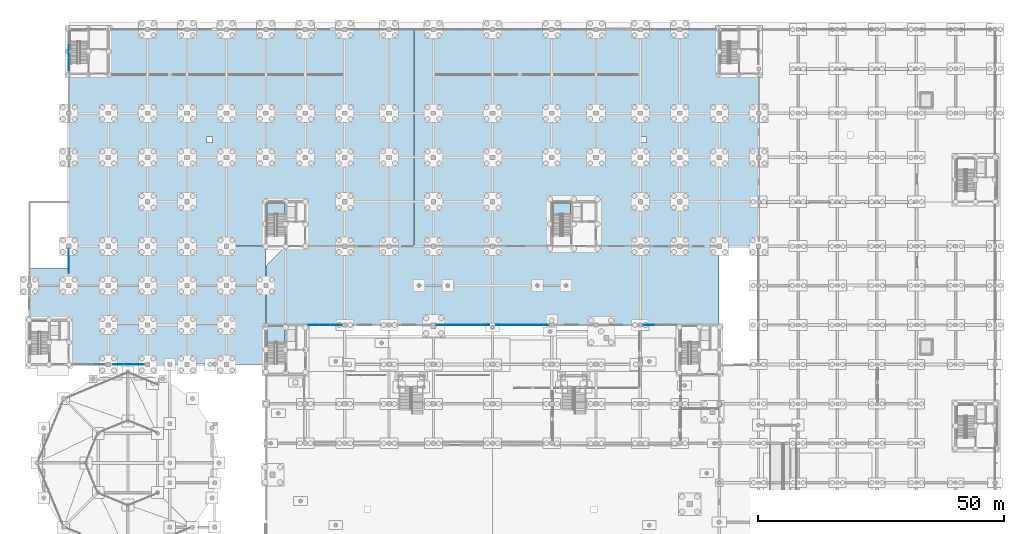
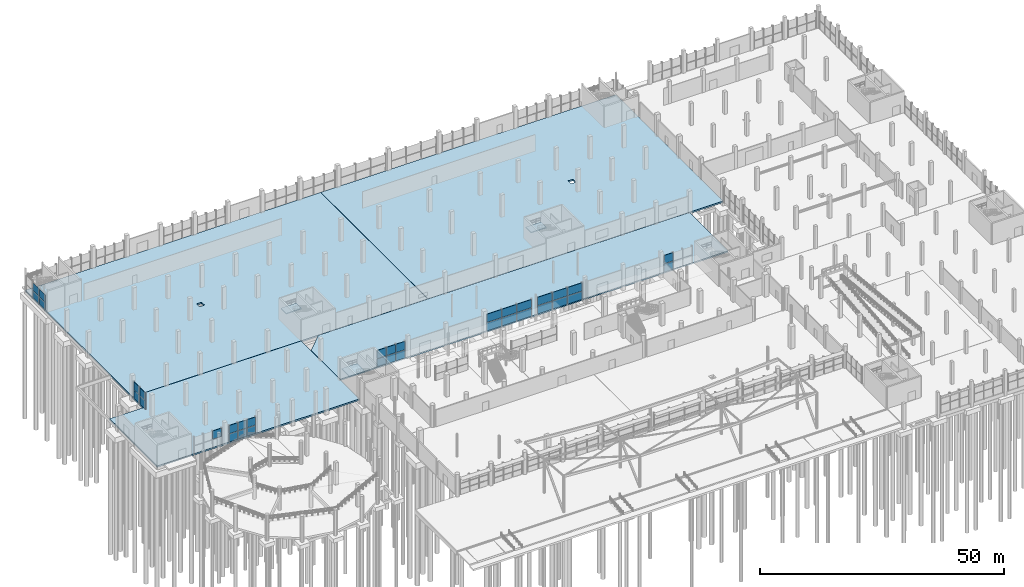
# One storey, part 66 of 98: 35 plates, 7 slabs, 11 elements without a shape of their own.
"""IFC4 building model written with IfcOpenShell, lengths in metres."""

from ifc_helpers import new_model, si_unit, derived_unit, direction, frame, origin, origin_2d, place, context, subcontext, project, spatial, polyline, rectangle, outline, extrude, material, layer, layer_set, type_object, element, aggregate, save


model = new_model("IFC4")

# Units and contexts
model_context = context("Model", 3, precision=1e-05, world=origin(), true_north=direction((0.0, 1.0)))
body_context = subcontext(model_context, "Body", "Model", "MODEL_VIEW")
ifc_project = project(units=[si_unit("LENGTHUNIT", "METRE"), si_unit("AREAUNIT", "SQUARE_METRE"), si_unit("VOLUMEUNIT", "CUBIC_METRE"), si_unit("PLANEANGLEUNIT", "RADIAN"), si_unit("MASSUNIT", "GRAM", prefix="KILO"), si_unit("THERMODYNAMICTEMPERATUREUNIT", "KELVIN"), derived_unit("THERMALTRANSMITTANCEUNIT", [(si_unit("POWERUNIT", "WATT"), 1), (si_unit("AREAUNIT", "SQUARE_METRE"), -1), (si_unit("THERMODYNAMICTEMPERATUREUNIT", "KELVIN"), -1)])], contexts=[model_context])

# Site, building, storey
site_placement = place(None, origin())
site = spatial("IfcSite", under=ifc_project, at=site_placement, CompositionType="ELEMENT")
building_placement = place(site_placement, origin())
building = spatial("IfcBuilding", under=site, at=building_placement, Name="Haiyu Intermodal Mobility Hub", CompositionType="ELEMENT")
storey_placement = place(building_placement, origin())
storey = spatial("IfcBuildingStorey", under=building, at=storey_placement, Name="L00", CompositionType="ELEMENT", Elevation=0.0)

# Curtain wall, plates
ifc_material_1 = material(Name="Low-e laminated insulating glass", Category="glass")
ifc_layer_1 = layer(ifc_material_1, 0.219970703125)
ifc_layer_set_1 = layer_set([ifc_layer_1], Name="Low-e laminated insulating glass")
curtain_wall_type_1 = type_object("IfcCurtainWallType", Name="CW-CW01", PredefinedType="NOTDEFINED", material=ifc_layer_set_1)
curtain_wall_1_placement = place(storey_placement, origin())
curtain_wall_1 = element("IfcCurtainWall", 1, at=curtain_wall_1_placement, inside=storey, type_object=curtain_wall_type_1, Name="Curtain Wall CW-SW-L00-185", PredefinedType="NOTDEFINED")
ifc_layer_2 = layer(ifc_material_1, 0.035888671875)
ifc_layer_set_2 = layer_set([ifc_layer_2], Name="Low-e laminated insulating glass")
plate_type_1 = type_object("IfcPlateType", Name="PLT-CP01", PredefinedType="CURTAIN_PANEL", material=ifc_layer_set_2)
plate_1_placement = place(storey_placement, frame((32.0380859375, 80.0, 0.03515625), z_axis=(0.0, 0.0, 1.0), x_axis=(1.0, 0.0, 0.0)))
plate_1 = element("IfcPlate", 2, at=plate_1_placement, type_object=plate_type_1, Name="CW-SW-L00-185-PN01", PredefinedType="CURTAIN_PANEL", context=body_context, shape_type="SweptSolid", body=[
    extrude(rectangle(XDim=2.007080078125, YDim=0.035888671875, at=origin_2d()), origin(), (0.0, 0.0, 1.0), 2.030029296875),
])
plate_2_placement = place(storey_placement, frame((34.135009765625, 80.0, 0.03515625), z_axis=(0.0, 0.0, 1.0), x_axis=(1.0, 0.0, 0.0)))
plate_2 = element("IfcPlate", 3, at=plate_2_placement, type_object=plate_type_1, Name="CW-SW-L00-185-PN03", PredefinedType="CURTAIN_PANEL", context=body_context, shape_type="SweptSolid", body=[
    extrude(rectangle(XDim=2.007080078125, YDim=0.035888671875, at=origin_2d()), origin(), (0.0, 0.0, 1.0), 2.030029296875),
])
plate_3_placement = place(storey_placement, frame((36.23193359375, 80.0, 0.03515625), z_axis=(0.0, 0.0, 1.0), x_axis=(1.0, 0.0, 0.0)))
plate_3 = element("IfcPlate", 4, at=plate_3_placement, type_object=plate_type_1, Name="CW-SW-L00-185-PN05", PredefinedType="CURTAIN_PANEL", context=body_context, shape_type="SweptSolid", body=[
    extrude(rectangle(XDim=2.007080078125, YDim=0.035888671875, at=origin_2d()), origin(), (0.0, 0.0, 1.0), 2.030029296875),
])

curtain_wall_2_placement = place(storey_placement, origin())
curtain_wall_2 = element("IfcCurtainWall", 5, at=curtain_wall_2_placement, inside=storey, type_object=curtain_wall_type_1, Name="Curtain Wall CW-SWW-L00-186", PredefinedType="NOTDEFINED")
plate_4_placement = place(storey_placement, frame((22.0, 102.22998046875, 0.03515625), z_axis=(0.0, 0.0, 1.0), x_axis=(0.0, -1.0, 0.0)))
plate_4 = element("IfcPlate", 6, at=plate_4_placement, type_object=plate_type_1, Name="CW-SWW-L00-186-PN01", PredefinedType="CURTAIN_PANEL", context=body_context, shape_type="SweptSolid", body=[
    extrude(rectangle(XDim=2.3701171875, YDim=0.035888671875, at=origin_2d()), origin(), (0.0, 0.0, 1.0), 2.030029296875),
])
plate_5_placement = place(storey_placement, frame((22.0, 99.77001953125, 0.03515625), z_axis=(0.0, 0.0, 1.0), x_axis=(0.0, -1.0, 0.0)))
plate_5 = element("IfcPlate", 7, at=plate_5_placement, type_object=plate_type_1, Name="CW-SWW-L00-186-PN03", PredefinedType="CURTAIN_PANEL", context=body_context, shape_type="SweptSolid", body=[
    extrude(rectangle(XDim=2.3701171875, YDim=0.035888671875, at=origin_2d()), origin(), (0.0, 0.0, 1.0), 2.030029296875),
])

ifc_layer_3 = layer(ifc_material_1, 0.25)
ifc_layer_set_3 = layer_set([ifc_layer_3], Name="Low-e laminated insulating glass")
curtain_wall_type_2 = type_object("IfcCurtainWallType", Name="CW-CW02", PredefinedType="NOTDEFINED", material=ifc_layer_set_3)
curtain_wall_3_placement = place(storey_placement, origin())
curtain_wall_3 = element("IfcCurtainWall", 8, at=curtain_wall_3_placement, inside=storey, type_object=curtain_wall_type_2, Name="Curtain Wall CW-V1N-L00-021", PredefinedType="NOTDEFINED")
ifc_material_2 = material(Name="Anodised aluminium 6063-T6", Category="aluminium")
ifc_layer_4 = layer(ifc_material_2, 0.0419921875)
ifc_layer_set_4 = layer_set([ifc_layer_4], Name="Anodised aluminium 6063-T6")
plate_type_2 = type_object("IfcPlateType", Name="PLT-CP02", PredefinedType="CURTAIN_PANEL", material=ifc_layer_set_4)
plate_6_placement = place(storey_placement, frame((76.22705078125, 88.0, 0.03466796875), z_axis=(0.0, 0.0, 1.0), x_axis=(-1.0, 0.0, 0.0)))
plate_6 = element("IfcPlate", 9, at=plate_6_placement, type_object=plate_type_2, Name="CW-V1N-L00-021-PN01", PredefinedType="CURTAIN_PANEL", context=body_context, shape_type="SweptSolid", body=[
    extrude(rectangle(XDim=2.136962890625, YDim=0.0419921875, at=origin_2d()), origin(), (0.0, 0.0, 1.0), 2.054931640625),
])
plate_7_placement = place(storey_placement, frame((74.0, 88.0, 0.03466796875), z_axis=(0.0, 0.0, 1.0), x_axis=(-1.0, 0.0, 0.0)))
plate_7 = element("IfcPlate", 10, at=plate_7_placement, type_object=plate_type_2, Name="CW-V1N-L00-021-PN03", PredefinedType="CURTAIN_PANEL", context=body_context, shape_type="SweptSolid", body=[
    extrude(rectangle(XDim=2.136962890625, YDim=0.0419921875, at=origin_2d()), origin(), (0.0, 0.0, 1.0), 2.054931640625),
])
plate_8_placement = place(storey_placement, frame((71.77294921875, 88.0, 0.03466796875), z_axis=(0.0, 0.0, 1.0), x_axis=(-1.0, 0.0, 0.0)))
plate_8 = element("IfcPlate", 11, at=plate_8_placement, type_object=plate_type_2, Name="CW-V1N-L00-021-PN05", PredefinedType="CURTAIN_PANEL", context=body_context, shape_type="SweptSolid", body=[
    extrude(rectangle(XDim=2.136962890625, YDim=0.0419921875, at=origin_2d()), origin(), (0.0, 0.0, 1.0), 2.054931640625),
])

curtain_wall_4_placement = place(storey_placement, origin())
curtain_wall_4 = element("IfcCurtainWall", 12, at=curtain_wall_4_placement, inside=storey, type_object=curtain_wall_type_2, Name="Curtain Wall CW-V1N-L00-025", PredefinedType="NOTDEFINED")
plate_9_placement = place(storey_placement, frame((105.56005859375, 88.0, 0.03466796875), z_axis=(0.0, 0.0, 1.0), x_axis=(-1.0, 0.0, 0.0)))
plate_9 = element("IfcPlate", 13, at=plate_9_placement, type_object=plate_type_2, Name="CW-V1N-L00-025-PN01", PredefinedType="CURTAIN_PANEL", context=body_context, shape_type="SweptSolid", body=[
    extrude(rectangle(XDim=3.469970703125, YDim=0.0419921875, at=origin_2d()), origin(), (0.0, 0.0, 1.0), 2.054931640625),
])
plate_10_placement = place(storey_placement, frame((102.0, 88.0, 0.03466796875), z_axis=(0.0, 0.0, 1.0), x_axis=(-1.0, 0.0, 0.0)))
plate_10 = element("IfcPlate", 14, at=plate_10_placement, type_object=plate_type_2, Name="CW-V1N-L00-025-PN03", PredefinedType="CURTAIN_PANEL", context=body_context, shape_type="SweptSolid", body=[
    extrude(rectangle(XDim=3.469970703125, YDim=0.0419921875, at=origin_2d()), origin(), (0.0, 0.0, 1.0), 2.054931640625),
])
plate_11_placement = place(storey_placement, frame((98.43994140625, 88.0, 0.03466796875), z_axis=(0.0, 0.0, 1.0), x_axis=(-1.0, 0.0, 0.0)))
plate_11 = element("IfcPlate", 15, at=plate_11_placement, type_object=plate_type_2, Name="CW-V1N-L00-025-PN05", PredefinedType="CURTAIN_PANEL", context=body_context, shape_type="SweptSolid", body=[
    extrude(rectangle(XDim=3.469970703125, YDim=0.0419921875, at=origin_2d()), origin(), (0.0, 0.0, 1.0), 2.054931640625),
])

curtain_wall_5_placement = place(storey_placement, origin())
curtain_wall_5 = element("IfcCurtainWall", 16, at=curtain_wall_5_placement, inside=storey, type_object=curtain_wall_type_2, Name="Curtain Wall CW-V1N-L00-027", PredefinedType="NOTDEFINED")
plate_12_placement = place(storey_placement, frame((117.56005859375, 88.0, 0.03466796875), z_axis=(0.0, 0.0, 1.0), x_axis=(-1.0, 0.0, 0.0)))
plate_12 = element("IfcPlate", 17, at=plate_12_placement, type_object=plate_type_2, Name="CW-V1N-L00-027-PN01", PredefinedType="CURTAIN_PANEL", context=body_context, shape_type="SweptSolid", body=[
    extrude(rectangle(XDim=3.469970703125, YDim=0.0419921875, at=origin_2d()), origin(), (0.0, 0.0, 1.0), 2.054931640625),
])
plate_13_placement = place(storey_placement, frame((114.0, 88.0, 0.03466796875), z_axis=(0.0, 0.0, 1.0), x_axis=(-1.0, 0.0, 0.0)))
plate_13 = element("IfcPlate", 18, at=plate_13_placement, type_object=plate_type_2, Name="CW-V1N-L00-027-PN03", PredefinedType="CURTAIN_PANEL", context=body_context, shape_type="SweptSolid", body=[
    extrude(rectangle(XDim=3.469970703125, YDim=0.0419921875, at=origin_2d()), origin(), (0.0, 0.0, 1.0), 2.054931640625),
])
plate_14_placement = place(storey_placement, frame((110.43994140625, 88.0, 0.03466796875), z_axis=(0.0, 0.0, 1.0), x_axis=(-1.0, 0.0, 0.0)))
plate_14 = element("IfcPlate", 19, at=plate_14_placement, type_object=plate_type_2, Name="CW-V1N-L00-027-PN05", PredefinedType="CURTAIN_PANEL", context=body_context, shape_type="SweptSolid", body=[
    extrude(rectangle(XDim=3.469970703125, YDim=0.0419921875, at=origin_2d()), origin(), (0.0, 0.0, 1.0), 2.054931640625),
])

# Curtain wall, plate
curtain_wall_6_placement = place(storey_placement, origin())
curtain_wall_6 = element("IfcCurtainWall", 20, at=curtain_wall_6_placement, inside=storey, type_object=curtain_wall_type_2, Name="Curtain Wall CW-V1N-L00-031", PredefinedType="NOTDEFINED")
plate_15_placement = place(storey_placement, frame((139.77294921875, 88.0, 0.03466796875), z_axis=(0.0, 0.0, 1.0), x_axis=(-1.0, 0.0, 0.0)))
plate_15 = element("IfcPlate", 21, at=plate_15_placement, type_object=plate_type_2, Name="CW-V1N-L00-031-PN05", PredefinedType="CURTAIN_PANEL", context=body_context, shape_type="SweptSolid", body=[
    extrude(rectangle(XDim=2.136962890625, YDim=0.0419921875, at=origin_2d()), origin(), (0.0, 0.0, 1.0), 2.054931640625),
])

# Curtain wall, plates
ifc_layer_5 = layer(ifc_material_1, 0.199951171875)
ifc_layer_set_5 = layer_set([ifc_layer_5], Name="Low-e laminated insulating glass")
curtain_wall_type_3 = type_object("IfcCurtainWallType", Name="CW-CW03", PredefinedType="NOTDEFINED", material=ifc_layer_set_5)
curtain_wall_7_placement = place(storey_placement, origin())
curtain_wall_7 = element("IfcCurtainWall", 22, at=curtain_wall_7_placement, inside=storey, type_object=curtain_wall_type_3, Name="Curtain Wall CW-C3S-L00-050", PredefinedType="NOTDEFINED")
ifc_layer_6 = layer(ifc_material_1, 0.0400390625)
ifc_layer_set_6 = layer_set([ifc_layer_6], Name="Low-e laminated insulating glass")
plate_type_3 = type_object("IfcPlateType", Name="PLT-CP03", PredefinedType="CURTAIN_PANEL", material=ifc_layer_set_6)
plate_16_placement = place(storey_placement, frame((22.0, 143.5, 0.03515625), z_axis=(0.0, 0.0, 1.0), x_axis=(0.0, -1.0, 0.0)))
plate_16 = element("IfcPlate", 23, at=plate_16_placement, type_object=plate_type_3, Name="CW-C3S-L00-050-PN03", PredefinedType="CURTAIN_PANEL", context=body_context, shape_type="SweptSolid", body=[
    extrude(rectangle(XDim=2.469970703125, YDim=0.0400390625, at=origin_2d()), origin(), (0.0, 0.0, 1.0), 1.840087890625),
])
plate_17_placement = place(storey_placement, frame((22.0, 140.93994140625, 0.03515625), z_axis=(0.0, 0.0, 1.0), x_axis=(0.0, -1.0, 0.0)))
plate_17 = element("IfcPlate", 24, at=plate_17_placement, type_object=plate_type_3, Name="CW-C3S-L00-050-PN05", PredefinedType="CURTAIN_PANEL", context=body_context, shape_type="SweptSolid", body=[
    extrude(rectangle(XDim=2.469970703125, YDim=0.0400390625, at=origin_2d()), origin(), (0.0, 0.0, 1.0), 1.840087890625),
])

# Plate
ifc_layer_7 = layer(ifc_material_1, 0.0439453125)
ifc_layer_set_7 = layer_set([ifc_layer_7], Name="Low-e laminated insulating glass")
plate_type_4 = type_object("IfcPlateType", Name="PLT-CP04", PredefinedType="CURTAIN_PANEL", material=ifc_layer_set_7)
plate_18_placement = place(storey_placement, frame((76.22705078125, 88.0, 2.16064453125), z_axis=(0.0, 0.0, 1.0), x_axis=(-1.0, 0.0, 0.0)))
plate_18 = element("IfcPlate", 25, at=plate_18_placement, type_object=plate_type_4, Name="CW-V1N-L00-021-PN02", PredefinedType="CURTAIN_PANEL", context=body_context, shape_type="SweptSolid", body=[
    extrude(rectangle(XDim=2.136962890625, YDim=0.0439453125, at=origin_2d()), origin(), (0.0, 0.0, 1.0), 2.054931640625),
])

plate_19_placement = place(storey_placement, frame((74.0, 88.0, 2.16064453125), z_axis=(0.0, 0.0, 1.0), x_axis=(-1.0, 0.0, 0.0)))
plate_19 = element("IfcPlate", 26, at=plate_19_placement, type_object=plate_type_4, Name="CW-V1N-L00-021-PN04", PredefinedType="CURTAIN_PANEL", context=body_context, shape_type="SweptSolid", body=[
    extrude(rectangle(XDim=2.136962890625, YDim=0.0439453125, at=origin_2d()), origin(), (0.0, 0.0, 1.0), 2.054931640625),
])

plate_20_placement = place(storey_placement, frame((71.77294921875, 88.0, 2.16064453125), z_axis=(0.0, 0.0, 1.0), x_axis=(-1.0, 0.0, 0.0)))
plate_20 = element("IfcPlate", 27, at=plate_20_placement, type_object=plate_type_4, Name="CW-V1N-L00-021-PN06", PredefinedType="CURTAIN_PANEL", context=body_context, shape_type="SweptSolid", body=[
    extrude(rectangle(XDim=2.136962890625, YDim=0.0439453125, at=origin_2d()), origin(), (0.0, 0.0, 1.0), 2.054931640625),
])

aggregate(curtain_wall_3, [plate_6, plate_18, plate_7, plate_19, plate_8, plate_20])

plate_21_placement = place(storey_placement, frame((105.56005859375, 88.0, 2.16064453125), z_axis=(0.0, 0.0, 1.0), x_axis=(-1.0, 0.0, 0.0)))
plate_21 = element("IfcPlate", 28, at=plate_21_placement, type_object=plate_type_4, Name="CW-V1N-L00-025-PN02", PredefinedType="CURTAIN_PANEL", context=body_context, shape_type="SweptSolid", body=[
    extrude(rectangle(XDim=3.469970703125, YDim=0.0439453125, at=origin_2d()), origin(), (0.0, 0.0, 1.0), 2.054931640625),
])

plate_22_placement = place(storey_placement, frame((102.0, 88.0, 2.16064453125), z_axis=(0.0, 0.0, 1.0), x_axis=(-1.0, 0.0, 0.0)))
plate_22 = element("IfcPlate", 29, at=plate_22_placement, type_object=plate_type_4, Name="CW-V1N-L00-025-PN04", PredefinedType="CURTAIN_PANEL", context=body_context, shape_type="SweptSolid", body=[
    extrude(rectangle(XDim=3.469970703125, YDim=0.0439453125, at=origin_2d()), origin(), (0.0, 0.0, 1.0), 2.054931640625),
])

plate_23_placement = place(storey_placement, frame((98.43994140625, 88.0, 2.16064453125), z_axis=(0.0, 0.0, 1.0), x_axis=(-1.0, 0.0, 0.0)))
plate_23 = element("IfcPlate", 30, at=plate_23_placement, type_object=plate_type_4, Name="CW-V1N-L00-025-PN06", PredefinedType="CURTAIN_PANEL", context=body_context, shape_type="SweptSolid", body=[
    extrude(rectangle(XDim=3.469970703125, YDim=0.0439453125, at=origin_2d()), origin(), (0.0, 0.0, 1.0), 2.054931640625),
])

aggregate(curtain_wall_4, [plate_9, plate_21, plate_10, plate_22, plate_11, plate_23])

plate_24_placement = place(storey_placement, frame((117.56005859375, 88.0, 2.16064453125), z_axis=(0.0, 0.0, 1.0), x_axis=(-1.0, 0.0, 0.0)))
plate_24 = element("IfcPlate", 31, at=plate_24_placement, type_object=plate_type_4, Name="CW-V1N-L00-027-PN02", PredefinedType="CURTAIN_PANEL", context=body_context, shape_type="SweptSolid", body=[
    extrude(rectangle(XDim=3.469970703125, YDim=0.0439453125, at=origin_2d()), origin(), (0.0, 0.0, 1.0), 2.054931640625),
])

plate_25_placement = place(storey_placement, frame((114.0, 88.0, 2.16064453125), z_axis=(0.0, 0.0, 1.0), x_axis=(-1.0, 0.0, 0.0)))
plate_25 = element("IfcPlate", 32, at=plate_25_placement, type_object=plate_type_4, Name="CW-V1N-L00-027-PN04", PredefinedType="CURTAIN_PANEL", context=body_context, shape_type="SweptSolid", body=[
    extrude(rectangle(XDim=3.469970703125, YDim=0.0439453125, at=origin_2d()), origin(), (0.0, 0.0, 1.0), 2.054931640625),
])

plate_26_placement = place(storey_placement, frame((110.43994140625, 88.0, 2.16064453125), z_axis=(0.0, 0.0, 1.0), x_axis=(-1.0, 0.0, 0.0)))
plate_26 = element("IfcPlate", 33, at=plate_26_placement, type_object=plate_type_4, Name="CW-V1N-L00-027-PN06", PredefinedType="CURTAIN_PANEL", context=body_context, shape_type="SweptSolid", body=[
    extrude(rectangle(XDim=3.469970703125, YDim=0.0439453125, at=origin_2d()), origin(), (0.0, 0.0, 1.0), 2.054931640625),
])

aggregate(curtain_wall_5, [plate_12, plate_24, plate_13, plate_25, plate_14, plate_26])

plate_27_placement = place(storey_placement, frame((139.77294921875, 88.0, 2.16064453125), z_axis=(0.0, 0.0, 1.0), x_axis=(-1.0, 0.0, 0.0)))
plate_27 = element("IfcPlate", 34, at=plate_27_placement, type_object=plate_type_4, Name="CW-V1N-L00-031-PN06", PredefinedType="CURTAIN_PANEL", context=body_context, shape_type="SweptSolid", body=[
    extrude(rectangle(XDim=2.136962890625, YDim=0.0439453125, at=origin_2d()), origin(), (0.0, 0.0, 1.0), 2.054931640625),
])

aggregate(curtain_wall_6, [plate_15, plate_27])

plate_28_placement = place(storey_placement, frame((22.0, 143.5, 1.94482421875), z_axis=(0.0, 0.0, 1.0), x_axis=(0.0, -1.0, 0.0)))
plate_28 = element("IfcPlate", 35, at=plate_28_placement, type_object=plate_type_4, Name="CW-C3S-L00-050-PN04", PredefinedType="CURTAIN_PANEL", context=body_context, shape_type="SweptSolid", body=[
    extrude(rectangle(XDim=2.469970703125, YDim=0.0439453125, at=origin_2d()), origin(), (0.0, 0.0, 1.0), 1.840087890625),
])

plate_29_placement = place(storey_placement, frame((22.0, 140.93994140625, 1.94482421875), z_axis=(0.0, 0.0, 1.0), x_axis=(0.0, -1.0, 0.0)))
plate_29 = element("IfcPlate", 36, at=plate_29_placement, type_object=plate_type_4, Name="CW-C3S-L00-050-PN06", PredefinedType="CURTAIN_PANEL", context=body_context, shape_type="SweptSolid", body=[
    extrude(rectangle(XDim=2.469970703125, YDim=0.0439453125, at=origin_2d()), origin(), (0.0, 0.0, 1.0), 1.840087890625),
])

aggregate(curtain_wall_7, [plate_16, plate_28, plate_17, plate_29])

# Curtain wall, plate
curtain_wall_8_placement = place(storey_placement, origin())
curtain_wall_8 = element("IfcCurtainWall", 37, at=curtain_wall_8_placement, inside=storey, type_object=curtain_wall_type_1, Name="Curtain Wall CW-SW-L00-184", PredefinedType="NOTDEFINED")
plate_30_placement = place(storey_placement, frame((28.18701171875, 80.0, 2.134765625), z_axis=(0.0, 0.0, 1.0), x_axis=(1.0, 0.0, 0.0)))
plate_30 = element("IfcPlate", 38, at=plate_30_placement, type_object=plate_type_4, Name="CW-SW-L00-184-PN06", PredefinedType="CURTAIN_PANEL", context=body_context, shape_type="SweptSolid", body=[
    extrude(rectangle(XDim=2.096923828125, YDim=0.0439453125, at=origin_2d()), origin(), (0.0, 0.0, 1.0), 2.030029296875),
])
aggregate(curtain_wall_8, [plate_30])

# Plate
plate_31_placement = place(storey_placement, frame((32.0380859375, 80.0, 2.134765625), z_axis=(0.0, 0.0, 1.0), x_axis=(1.0, 0.0, 0.0)))
plate_31 = element("IfcPlate", 39, at=plate_31_placement, type_object=plate_type_4, Name="CW-SW-L00-185-PN02", PredefinedType="CURTAIN_PANEL", context=body_context, shape_type="SweptSolid", body=[
    extrude(rectangle(XDim=2.007080078125, YDim=0.0439453125, at=origin_2d()), origin(), (0.0, 0.0, 1.0), 2.030029296875),
])

plate_32_placement = place(storey_placement, frame((34.135009765625, 80.0, 2.134765625), z_axis=(0.0, 0.0, 1.0), x_axis=(1.0, 0.0, 0.0)))
plate_32 = element("IfcPlate", 40, at=plate_32_placement, type_object=plate_type_4, Name="CW-SW-L00-185-PN04", PredefinedType="CURTAIN_PANEL", context=body_context, shape_type="SweptSolid", body=[
    extrude(rectangle(XDim=2.007080078125, YDim=0.0439453125, at=origin_2d()), origin(), (0.0, 0.0, 1.0), 2.030029296875),
])

plate_33_placement = place(storey_placement, frame((36.23193359375, 80.0, 2.134765625), z_axis=(0.0, 0.0, 1.0), x_axis=(1.0, 0.0, 0.0)))
plate_33 = element("IfcPlate", 41, at=plate_33_placement, type_object=plate_type_4, Name="CW-SW-L00-185-PN06", PredefinedType="CURTAIN_PANEL", context=body_context, shape_type="SweptSolid", body=[
    extrude(rectangle(XDim=2.007080078125, YDim=0.0439453125, at=origin_2d()), origin(), (0.0, 0.0, 1.0), 2.030029296875),
])

aggregate(curtain_wall_1, [plate_1, plate_31, plate_2, plate_32, plate_3, plate_33])

plate_34_placement = place(storey_placement, frame((22.0, 102.22998046875, 2.134765625), z_axis=(0.0, 0.0, 1.0), x_axis=(0.0, -1.0, 0.0)))
plate_34 = element("IfcPlate", 42, at=plate_34_placement, type_object=plate_type_4, Name="CW-SWW-L00-186-PN02", PredefinedType="CURTAIN_PANEL", context=body_context, shape_type="SweptSolid", body=[
    extrude(rectangle(XDim=2.3701171875, YDim=0.0439453125, at=origin_2d()), origin(), (0.0, 0.0, 1.0), 2.030029296875),
])

plate_35_placement = place(storey_placement, frame((22.0, 99.77001953125, 2.134765625), z_axis=(0.0, 0.0, 1.0), x_axis=(0.0, -1.0, 0.0)))
plate_35 = element("IfcPlate", 43, at=plate_35_placement, type_object=plate_type_4, Name="CW-SWW-L00-186-PN04", PredefinedType="CURTAIN_PANEL", context=body_context, shape_type="SweptSolid", body=[
    extrude(rectangle(XDim=2.3701171875, YDim=0.0439453125, at=origin_2d()), origin(), (0.0, 0.0, 1.0), 2.030029296875),
])

aggregate(curtain_wall_2, [plate_4, plate_34, plate_5, plate_35])

# Slabs
ifc_material_3 = material(Name="Concrete C40", Category="concrete")
ifc_layer_8 = layer(ifc_material_3, 0.3798828125)
ifc_layer_set_8 = layer_set([ifc_layer_8], Name="Concrete C40")
slab_type_1 = type_object("IfcSlabType", Name="SLB-SL02", PredefinedType="BASESLAB", material=ifc_layer_set_8)
slab_1_placement = place(storey_placement, frame((0.0, 0.0, -0.3798828125)))
element("IfcSlab", 44, at=slab_1_placement, inside=storey, type_object=slab_type_1, Name="L00 West Transfer Gallery Base Slab", PredefinedType="BASESLAB", context=body_context, shape_type="SweptSolid", body=[
    extrude(outline(polyline([(14.0, 80.0), (61.97998046875, 80.0), (61.97998046875, 103.97998046875), (22.0, 103.97998046875), (22.0, 99.5), (14.0, 99.5), (14.0, 80.0)])), origin(), (0.0, 0.0, 1.0), 0.3798828125),
])
slab_2_placement = place(storey_placement, frame((0.0, 0.0, -0.3798828125)))
element("IfcSlab", 45, at=slab_2_placement, inside=storey, type_object=slab_type_1, Name="L00 Intermodal North-West Lobby Slab", PredefinedType="BASESLAB", context=body_context, shape_type="SweptSolid", body=[
    extrude(outline(polyline([(22.0, 104.0), (91.97998046875, 104.0), (91.97998046875, 148.0), (22.0, 148.0), (22.0, 104.0)]), holes=[polyline([(50.0, 125.0), (51.199951171875, 125.0), (51.199951171875, 126.199951171875), (50.0, 126.199951171875), (50.0, 125.0)])]), origin(), (0.0, 0.0, 1.0), 0.3798828125),
])
slab_3_placement = place(storey_placement, frame((0.0, 0.0, -0.3798828125)))
element("IfcSlab", 46, at=slab_3_placement, inside=storey, type_object=slab_type_1, Name="L00 Carpool & Showroom North-East Slab", PredefinedType="BASESLAB", context=body_context, shape_type="SweptSolid", body=[
    extrude(outline(polyline([(92.02001953125, 104.0), (162.0, 104.0), (162.0, 148.0), (92.02001953125, 148.0), (92.02001953125, 104.0)]), holes=[polyline([(138.0, 125.0), (139.199951171875, 125.0), (139.199951171875, 126.199951171875), (138.0, 126.199951171875), (138.0, 125.0)])]), origin(), (0.0, 0.0, 1.0), 0.3798828125),
])
ifc_layer_9 = layer(ifc_material_3, 0.320068359375)
ifc_layer_set_9 = layer_set([ifc_layer_9], Name="Concrete C40")
slab_type_2 = type_object("IfcSlabType", Name="SLB-SL03", PredefinedType="BASESLAB", material=ifc_layer_set_9)
slab_4_placement = place(storey_placement, frame((0.0, 0.0, -0.320068359375)))
element("IfcSlab", 47, at=slab_4_placement, inside=storey, type_object=slab_type_2, Name="Central Rain-Garden Mobility Court Plinth Deck", PredefinedType="BASESLAB", context=body_context, shape_type="SweptSolid", body=[
    extrude(outline(polyline([(62.0400390625, 88.0400390625), (153.9599609375, 88.0400390625), (153.9599609375, 103.9599609375), (66.0, 103.9599609375), (62.0400390625, 100.0), (62.0400390625, 88.0400390625)])), origin(), (0.0, 0.0, 1.0), 0.320068359375),
])

# Stair, slab
stair_type = type_object("IfcStairType", Name="STR-ST01", PredefinedType="HALF_TURN_STAIR", material=ifc_material_3)
stair_1_placement = place(storey_placement, origin())
stair_1 = element("IfcStair", 48, at=stair_1_placement, inside=storey, type_object=stair_type, Name="Exit Stair ST01 L00", PredefinedType="HALF_TURN_STAIR")
ifc_layer_10 = layer(ifc_material_3, 0.2099609375)
ifc_layer_set_10 = layer_set([ifc_layer_10], Name="Concrete C40")
slab_type_3 = type_object("IfcSlabType", Name="SLB-SL13", PredefinedType="LANDING", material=ifc_layer_set_10)
slab_5_placement = place(storey_placement, frame((0.0, 0.0, 2.590087890625)))
slab_5 = element("IfcSlab", 49, at=slab_5_placement, type_object=slab_type_3, Name="Stair Half-Landing STR-C1-L00-LND", PredefinedType="LANDING", context=body_context, shape_type="SweptSolid", body=[
    extrude(outline(polyline([(62.219970703125, 84.530029296875), (65.8701171875, 84.530029296875), (65.8701171875, 87.780029296875), (62.219970703125, 87.780029296875), (62.219970703125, 84.530029296875)])), origin(), (0.0, 0.0, 1.0), 0.2099609375),
])
aggregate(stair_1, [slab_5])

stair_2_placement = place(storey_placement, origin())
stair_2 = element("IfcStair", 50, at=stair_2_placement, inside=storey, type_object=stair_type, Name="Exit Stair ST01 L00", PredefinedType="HALF_TURN_STAIR")
slab_6_placement = place(storey_placement, frame((0.0, 0.0, 2.590087890625)))
slab_6 = element("IfcSlab", 51, at=slab_6_placement, type_object=slab_type_3, Name="Stair Half-Landing STR-C5-L00-LND", PredefinedType="LANDING", context=body_context, shape_type="SweptSolid", body=[
    extrude(outline(polyline([(62.219970703125, 110.530029296875), (65.8701171875, 110.530029296875), (65.8701171875, 112.780029296875), (62.219970703125, 112.780029296875), (62.219970703125, 110.530029296875)])), origin(), (0.0, 0.0, 1.0), 0.2099609375),
])
aggregate(stair_2, [slab_6])

stair_3_placement = place(storey_placement, origin())
stair_3 = element("IfcStair", 52, at=stair_3_placement, inside=storey, type_object=stair_type, Name="Exit Stair ST01 L00", PredefinedType="HALF_TURN_STAIR")
slab_7_placement = place(storey_placement, frame((0.0, 0.0, 2.590087890625)))
slab_7 = element("IfcSlab", 53, at=slab_7_placement, type_object=slab_type_3, Name="Stair Half-Landing STR-C6-L00-LND", PredefinedType="LANDING", context=body_context, shape_type="SweptSolid", body=[
    extrude(outline(polyline([(120.219970703125, 110.530029296875), (123.8701171875, 110.530029296875), (123.8701171875, 112.780029296875), (120.219970703125, 112.780029296875), (120.219970703125, 110.530029296875)])), origin(), (0.0, 0.0, 1.0), 0.2099609375),
])
aggregate(stair_3, [slab_7])

save(model, "model.ifc")
